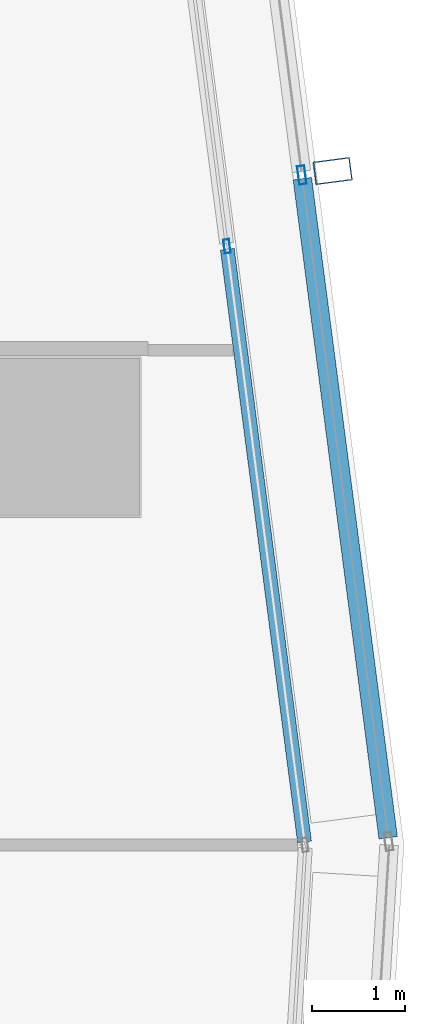
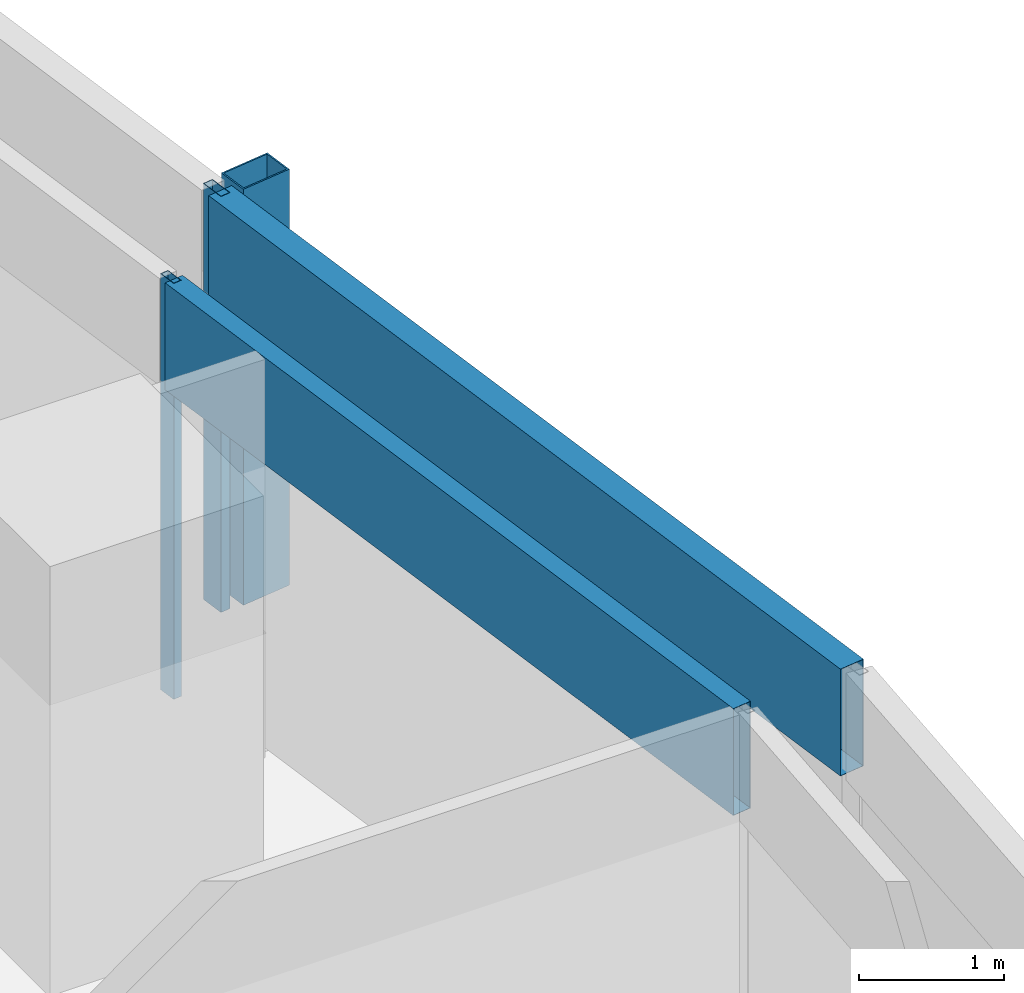
# One storey, part 26 of 40: 5 members, 2 elements without a shape of their own.
"""IFC4 building model written with IfcOpenShell, lengths in metres."""

from ifc_helpers import new_model, si_unit, direction, frame, origin, origin_2d, place, context, subcontext, project, spatial, hollow_rectangle, extrude, material, material_profile, profile_set, type_object, element, aggregate, save


model = new_model("IFC4")

# Units and contexts
model_context = context("Model", 3, precision=1e-05, world=origin(), true_north=direction((0.0, 1.0)))
body_context = subcontext(model_context, "Body", "Model", "MODEL_VIEW")
ifc_project = project(units=[si_unit("LENGTHUNIT", "METRE"), si_unit("AREAUNIT", "SQUARE_METRE"), si_unit("VOLUMEUNIT", "CUBIC_METRE"), si_unit("PLANEANGLEUNIT", "RADIAN"), si_unit("MASSUNIT", "GRAM", prefix="KILO")], contexts=[model_context])

# Site, building, storey
site_placement = place(None, origin())
site = spatial("IfcSite", under=ifc_project, at=site_placement, CompositionType="ELEMENT")
building_placement = place(site_placement, origin())
building = spatial("IfcBuilding", under=site, at=building_placement, Name="Rekha Terrace Tower", CompositionType="ELEMENT")
storey_placement = place(building_placement, frame((0.0, 0.0, 140.300048828125)))
storey = spatial("IfcBuildingStorey", under=building, at=storey_placement, Name="L35", CompositionType="ELEMENT", Elevation=140.300048828125)

# Curtain wall, member
ifc_material_1 = material(Name="Aluminium framing", Category="aluminium")
curtain_wall_type_1 = type_object("IfcCurtainWallType", Name="CW2 double skin outer glazing", PredefinedType="USERDEFINED", material=ifc_material_1)
curtain_wall_1_placement = place(storey_placement, origin())
curtain_wall_1 = element("IfcCurtainWall", 1, at=curtain_wall_1_placement, inside=storey, type_object=curtain_wall_type_1, Name="CW2 double skin outer glazing", ObjectType="DOUBLE SKIN OUTER GLAZING", PredefinedType="USERDEFINED")
ifc_material_2 = material(Name="Steel S355 with fluorocarbon finish", Category="steel")
ifc_material_profile_1 = material_profile(ifc_material_2, hollow_rectangle(XDim=0.25, YDim=0.39990234375, WallThickness=0.012451171875, at=origin_2d()), Name="RHS400x250x12.5")
ifc_profile_set_1 = profile_set([ifc_material_profile_1], Name="Steel S355 with fluorocarbon finish")
member_type_1 = type_object("IfcMemberType", Name="BL1 facade blade RHS 400 x 250", PredefinedType="USERDEFINED", material=ifc_profile_set_1)
member_1_placement = place(storey_placement, frame((70.131103515625, 53.2685546875, 0.0), z_axis=(0.0, 0.0, 1.0), x_axis=(-0.129119247945, 0.991629073702, 0.0)))
member_1 = element("IfcMember", 2, at=member_1_placement, type_object=member_type_1, Name="Facade blade", ObjectType="FACADE BLADE", PredefinedType="USERDEFINED", context=body_context, shape_type="SweptSolid", body=[
    extrude(hollow_rectangle(XDim=0.25, YDim=0.39990234375, WallThickness=0.012451171875, at=origin_2d()), origin(), (0.0, 0.0, 1.0), 3.5),
])

# Curtain wall, members
curtain_wall_type_2 = type_object("IfcCurtainWallType", Name="CW1 double skin inner glazing", PredefinedType="USERDEFINED", material=ifc_material_1)
curtain_wall_2_placement = place(storey_placement, origin())
curtain_wall_2 = element("IfcCurtainWall", 3, at=curtain_wall_2_placement, inside=storey, type_object=curtain_wall_type_2, Name="CW1 double skin inner glazing", ObjectType="DOUBLE SKIN INNER GLAZING", PredefinedType="USERDEFINED")
ifc_material_3 = material(Name="Aluminium mullion section", Category="aluminium")
ifc_material_profile_2 = material_profile(ifc_material_3, hollow_rectangle(XDim=0.06494140625, YDim=0.14990234375, WallThickness=0.00390625, at=origin_2d()), Name="AL RHS 65x150")
ifc_profile_set_2 = profile_set([ifc_material_profile_2], Name="Aluminium mullion section")
member_type_2 = type_object("IfcMemberType", Name="CW1 mullion RHS 65 x 150", PredefinedType="MULLION", material=ifc_profile_set_2)
member_2_placement = place(storey_placement, frame((68.9912109375, 52.45751953125, 0.0), z_axis=(0.0, 0.0, 1.0), x_axis=(-0.991629186237, -0.129118383675, 0.0)))
member_2 = element("IfcMember", 4, at=member_2_placement, type_object=member_type_2, Name="CW1 mullion 2", PredefinedType="MULLION", context=body_context, shape_type="SweptSolid", body=[
    extrude(hollow_rectangle(XDim=0.06494140625, YDim=0.14990234375, WallThickness=0.00390625, at=origin_2d()), origin(), (0.0, 0.0, 1.0), 3.5),
])
ifc_material_4 = material(Name="Insulated aluminium spandrel box", Category="aluminium")
ifc_material_profile_3 = material_profile(ifc_material_4, hollow_rectangle(XDim=0.14990234375, YDim=0.89990234375, WallThickness=0.0029296875, at=origin_2d()), Name="AL SPANDREL BOX 150x900")
ifc_profile_set_3 = profile_set([ifc_material_profile_3], Name="Insulated aluminium spandrel box")
member_type_3 = type_object("IfcMemberType", Name="CW1 spandrel transom 150 x 900", PredefinedType="USERDEFINED", material=ifc_profile_set_3)
member_3_placement = place(storey_placement, frame((69.827392578125, 46.0361328125, 3.050048828125), z_axis=(-0.129135072997, 0.991627013005, 0.0), x_axis=(-0.991627013005, -0.129135072997, 0.0)))
member_3 = element("IfcMember", 5, at=member_3_placement, type_object=member_type_3, Name="CW1 spandrel transom 1", ObjectType="TRANSOM", PredefinedType="USERDEFINED", context=body_context, shape_type="SweptSolid", body=[
    extrude(hollow_rectangle(XDim=0.14990234375, YDim=0.89990234375, WallThickness=0.0029296875, at=origin_2d()), origin(), (0.0, 0.0, 1.0), 6.443115234375),
])
aggregate(curtain_wall_2, [member_2, member_3])

# Member
ifc_material_profile_4 = material_profile(ifc_material_3, hollow_rectangle(XDim=0.080078125, YDim=0.199951171875, WallThickness=0.00390625, at=origin_2d()), Name="AL RHS 80x200")
ifc_profile_set_4 = profile_set([ifc_material_profile_4], Name="Aluminium mullion section")
member_type_4 = type_object("IfcMemberType", Name="CW2 mullion RHS 80 x 200", PredefinedType="MULLION", material=ifc_profile_set_4)
member_4_placement = place(storey_placement, frame((69.798828125, 53.225341796875, 0.0), z_axis=(0.0, 0.0, 1.0), x_axis=(-0.991629186244, -0.129118383623, 0.0)))
member_4 = element("IfcMember", 6, at=member_4_placement, type_object=member_type_4, Name="CW2 mullion 2", PredefinedType="MULLION", context=body_context, shape_type="SweptSolid", body=[
    extrude(hollow_rectangle(XDim=0.080078125, YDim=0.199951171875, WallThickness=0.00390625, at=origin_2d()), origin(), (0.0, 0.0, 1.0), 3.5),
])

ifc_material_profile_5 = material_profile(ifc_material_4, hollow_rectangle(XDim=0.199951171875, YDim=0.89990234375, WallThickness=0.0029296875, at=origin_2d()), Name="AL SPANDREL BOX 200x900")
ifc_profile_set_5 = profile_set([ifc_material_profile_5], Name="Insulated aluminium spandrel box")
member_type_5 = type_object("IfcMemberType", Name="CW2 spandrel transom 200 x 900", PredefinedType="USERDEFINED", material=ifc_profile_set_5)
member_5_placement = place(storey_placement, frame((70.72900390625, 46.081787109375, 3.050048828125), z_axis=(-0.129125015962, 0.991628322635, 0.0), x_axis=(-0.991628322635, -0.129125015962, 0.0)))
member_5 = element("IfcMember", 7, at=member_5_placement, type_object=member_type_5, Name="CW2 spandrel transom 1", ObjectType="TRANSOM", PredefinedType="USERDEFINED", context=body_context, shape_type="SweptSolid", body=[
    extrude(hollow_rectangle(XDim=0.199951171875, YDim=0.89990234375, WallThickness=0.0029296875, at=origin_2d()), origin(), (0.0, 0.0, 1.0), 7.1640625),
])

aggregate(curtain_wall_1, [member_4, member_5, member_1])

save(model, "model.ifc")
